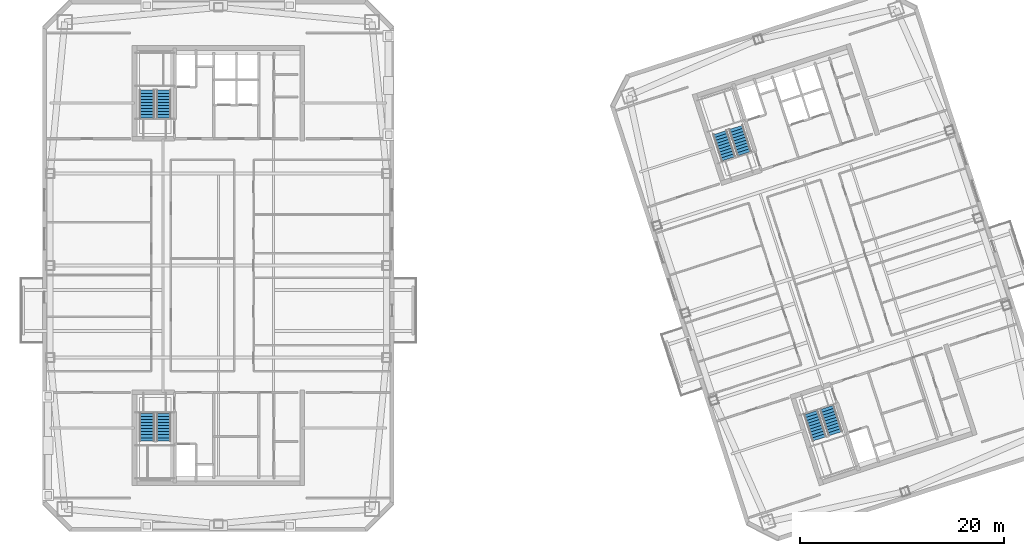
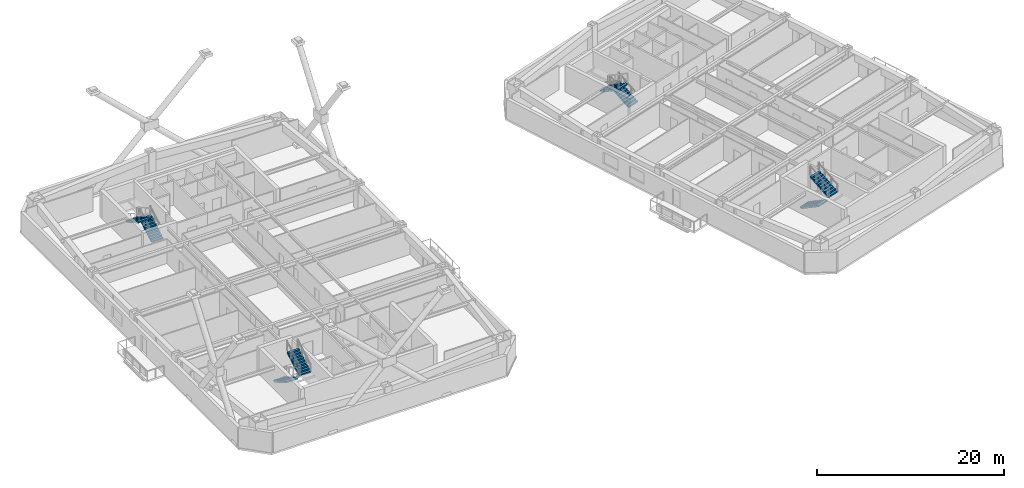
# One storey, part 12 of 16: 8 stair flights, 4 elements without a shape of their own.
"""IFC4 building model written with IfcOpenShell, lengths in metres."""

import ifcopenshell
import ifcopenshell.guid

model = None  # the IFC model being written
_history = None  # IfcOwnerHistory: only IFC2X3 demands one
_inside = {}  # id of a spatial element -> (the spatial element, [elements in it])
_under = {}  # id of a project, library or spatial element -> (it, [spatial elements below it])
_declared = {}  # id of a project -> (the project, [libraries it declares])
_typed = {}  # id of a type object -> (the type object, [elements of that type])
_made_of = {}  # id of a material, layer set ... -> (it, [elements and type objects made of it])


def new_model(schema):
    """Start an empty IFC model of exactly this schema.

    Asked for "IFC4X3", IfcOpenShell would pick the latest addendum, in which some entities
    have other attributes; the version numbers below select the first issue.
    IFC2X3 requires an IfcOwnerHistory on every rooted entity: one is made here for all.
    """
    global model, _history
    if schema == "IFC4X3":
        model = ifcopenshell.file(schema_version=(4, 3, 0, 0))
    else:
        model = ifcopenshell.file(schema=schema)
    _inside.clear()
    _under.clear()
    _declared.clear()
    _typed.clear()
    _made_of.clear()
    _history = None
    if model.schema == "IFC2X3":
        org = make("IfcOrganization", Name="unknown")
        user = make(
            "IfcPersonAndOrganization",
            ThePerson=make("IfcPerson", FamilyName="unknown"),
            TheOrganization=org,
        )
        app = make(
            "IfcApplication",
            ApplicationDeveloper=org,
            Version="unknown",
            ApplicationFullName="unknown",
            ApplicationIdentifier="unknown",
        )
        _history = make(
            "IfcOwnerHistory",
            OwningUser=user,
            OwningApplication=app,
            ChangeAction="ADDED",
            CreationDate=0,
        )
    return model


def make(cls, **values):
    """One entity of the class cls with the attributes given. An attribute that is None is left unset."""
    return model.create_entity(
        cls, **{name: value for name, value in values.items() if value is not None}
    )


def rooted(cls, **values):
    """An entity with a GlobalId (a new one), such as an element, a storey or a relation."""
    return make(cls, GlobalId=ifcopenshell.guid.new(), OwnerHistory=_history, **values)


def si_unit(unit_type, name, prefix=None):
    """IfcSIUnit, for example si_unit("LENGTHUNIT", "METRE", prefix="MILLI")."""
    return make("IfcSIUnit", UnitType=unit_type, Prefix=prefix, Name=name)


def assignment(units):
    """IfcUnitAssignment: the units of a project."""
    return None if units is None else make("IfcUnitAssignment", Units=units)


def point(xyz):
    """IfcCartesianPoint."""
    return None if xyz is None else make("IfcCartesianPoint", Coordinates=xyz)


def direction(xyz):
    """IfcDirection."""
    return None if xyz is None else make("IfcDirection", DirectionRatios=xyz)


def frame(location, z_axis=None, x_axis=None):
    """IfcAxis2Placement3D, a coordinate frame: its origin and axes. An axis left out is left unset."""
    return make(
        "IfcAxis2Placement3D",
        Location=point(location),
        Axis=direction(z_axis),
        RefDirection=direction(x_axis),
    )


def origin():
    """The frame at (0, 0, 0) with its axes left unset."""
    return frame((0.0, 0.0, 0.0))


def place(relative_to, where):
    """IfcLocalPlacement: puts the frame where relative to a parent placement (None: the world)."""
    return make(
        "IfcLocalPlacement", PlacementRelTo=relative_to, RelativePlacement=where
    )


def context(
    kind, dimensions, precision=None, world=None, true_north=None, identifier=None
):
    """IfcGeometricRepresentationContext, for example the 3D "Model" context."""
    return make(
        "IfcGeometricRepresentationContext",
        ContextIdentifier=identifier,
        ContextType=kind,
        CoordinateSpaceDimension=dimensions,
        Precision=precision,
        WorldCoordinateSystem=world,
        TrueNorth=true_north,
    )


def subcontext(parent, identifier, kind, view, scale=None):
    """IfcGeometricRepresentationSubContext, for example "Body" below "Model"."""
    return make(
        "IfcGeometricRepresentationSubContext",
        ContextIdentifier=identifier,
        ContextType=kind,
        ParentContext=parent,
        TargetScale=scale,
        TargetView=view,
    )


def project(units=None, contexts=None):
    """IfcProject with its units and contexts."""
    return rooted(
        "IfcProject",
        Name="project",
        RepresentationContexts=contexts,
        UnitsInContext=assignment(units),
    )


def spatial(cls, under=None, at=None, **own):
    """A site, building, storey or space (cls), placed at a placement, below another one or the project."""
    s = rooted(cls, ObjectPlacement=at, **own)
    if under is not None:
        _under.setdefault(under.id(), (under, []))[1].append(s)
    return s


def polyline(points):
    """IfcPolyline through the points."""
    return make("IfcPolyline", Points=[point(p) for p in points])


def outline(outer, holes=None, kind="AREA"):
    """IfcArbitraryClosedProfileDef: a profile drawn as a closed curve; with holes, ...WithVoids."""
    if holes is None:
        return make("IfcArbitraryClosedProfileDef", ProfileType=kind, OuterCurve=outer)
    return make(
        "IfcArbitraryProfileDefWithVoids",
        ProfileType=kind,
        OuterCurve=outer,
        InnerCurves=holes,
    )


def extrude(swept, where, along, depth):
    """IfcExtrudedAreaSolid: the profile swept, set in the frame where, extruded along a direction by depth."""
    return make(
        "IfcExtrudedAreaSolid",
        SweptArea=swept,
        Position=where,
        ExtrudedDirection=direction(along),
        Depth=depth,
    )


def shape(context_of_items, identifier, shape_type, items):
    """IfcShapeRepresentation: the items that make up one representation, for example the "Body"."""
    return make(
        "IfcShapeRepresentation",
        ContextOfItems=context_of_items,
        RepresentationIdentifier=identifier,
        RepresentationType=shape_type,
        Items=items,
    )


def material(Name=None, Category=None):
    """IfcMaterial."""
    return make("IfcMaterial", Name=Name, Category=Category)


def made_of(thing, what):
    """Note that an element or type object is made of a material, layer set ...; save() writes the relation."""
    if what is not None:
        _made_of.setdefault(what.id(), (what, []))[1].append(thing)
    return thing


def type_object(cls, material=None, **own):
    """A type object (cls), such as IfcWallType, which elements share."""
    return made_of(rooted(cls, **own), material)


def element(
    cls,
    number,
    at=None,
    inside=None,
    cuts=None,
    type_object=None,
    material=None,
    context=None,
    identifier="Body",
    shape_type=None,
    held_by="IfcProductDefinitionShape",
    body=None,
    shapes=None,
    **own,
):
    """One element of the class cls, such as IfcWall. Its Tag is "e" and its number.

    at: its placement. inside: the storey or other place that contains it. cuts: it is an
    opening in that element (IfcRelVoidsElement). A single representation is given by context,
    identifier, shape_type and body (its items); several are given by shapes. held_by: the class
    of the entity that holds the representations. save() writes the other relations.
    """
    e = rooted(cls, Tag="e%d" % number, ObjectPlacement=at, **own)
    if body is not None:
        shapes = [shape(context, identifier, shape_type, body)]
    if shapes is not None:
        e.Representation = make(held_by, Representations=shapes)
    if inside is not None:
        _inside.setdefault(inside.id(), (inside, []))[1].append(e)
    if cuts is not None:
        rooted(
            "IfcRelVoidsElement", RelatingBuildingElement=cuts, RelatedOpeningElement=e
        )
    if type_object is not None:
        _typed.setdefault(type_object.id(), (type_object, []))[1].append(e)
    return made_of(e, material)


def aggregate(whole, parts):
    """IfcRelAggregates: a whole, such as a stair, and the parts it consists of."""
    return rooted("IfcRelAggregates", RelatingObject=whole, RelatedObjects=parts)


def save(model, path):
    """Write the relations noted so far, then the file.

    IfcRelAggregates (storeys below a building ...), IfcRelContainedInSpatialStructure (elements
    in a storey), IfcRelDefinesByType, IfcRelAssociatesMaterial and IfcRelDeclares: one each for
    every whole, place, type object, material and project.
    """
    for whole, parts in _under.values():
        aggregate(whole, parts)
    for where, things in _inside.values():
        rooted(
            "IfcRelContainedInSpatialStructure",
            RelatedElements=things,
            RelatingStructure=where,
        )
    for kind, things in _typed.values():
        rooted("IfcRelDefinesByType", RelatedObjects=things, RelatingType=kind)
    for what, things in _made_of.values():
        rooted("IfcRelAssociatesMaterial", RelatedObjects=things, RelatingMaterial=what)
    for by, libraries in _declared.values():
        rooted("IfcRelDeclares", RelatingContext=by, RelatedDefinitions=libraries)
    model.write(path)


model = new_model("IFC4")

# Units and contexts
model_context = context("Model", 3, precision=1e-05, world=origin(), true_north=direction((0.0, 1.0)))
body_context = subcontext(model_context, "Body", "Model", "MODEL_VIEW")
ifc_project = project(units=[si_unit("LENGTHUNIT", "METRE"), si_unit("AREAUNIT", "SQUARE_METRE"), si_unit("VOLUMEUNIT", "CUBIC_METRE"), si_unit("PLANEANGLEUNIT", "RADIAN"), si_unit("MASSUNIT", "GRAM", prefix="KILO")], contexts=[model_context])

# Site, building, storey
site_placement = place(None, origin())
site = spatial("IfcSite", under=ifc_project, at=site_placement, CompositionType="ELEMENT")
building_placement = place(site_placement, origin())
building = spatial("IfcBuilding", under=site, at=building_placement, Name="Qiaolan Cultural Towers", CompositionType="ELEMENT")
storey_placement = place(building_placement, frame((0.0, 0.0, 188.60009765625)))
storey = spatial("IfcBuildingStorey", under=building, at=storey_placement, Name="L50", CompositionType="ELEMENT", Elevation=188.60009765625)

# Stair, stair flights
ifc_material_1 = material(Name="Concrete C45", Category="concrete")
stair_type = type_object("IfcStairType", Name="STR-CORE-1500", PredefinedType="HALF_TURN_STAIR", material=ifc_material_1)
stair_1_placement = place(storey_placement, origin())
stair_1 = element("IfcStair", 1, at=stair_1_placement, inside=storey, type_object=stair_type, Name="L50 Smokeproof Exit Stair ST-W1", PredefinedType="HALF_TURN_STAIR")
ifc_material_2 = material(Name="Concrete C45", Category="concrete")
stair_flight_type = type_object("IfcStairFlightType", Name="STR-CORE-1500-FL", PredefinedType="STRAIGHT", material=ifc_material_2)
stair_flight_1_placement = place(storey_placement, frame((23.02001953125, 19.550048828125, 0.0), z_axis=(0.0, 0.0, 1.0), x_axis=(0.0, -1.0, 0.0)))
stair_flight_1 = element("IfcStairFlight", 2, at=stair_flight_1_placement, type_object=stair_flight_type, Name="ST-W1 flight 1", NumberOfRisers=10, NumberOfTreads=9, PredefinedType="STRAIGHT", RiserHeight=0.1725, TreadLength=0.3, context=body_context, shape_type="SweptSolid", body=[
    extrude(outline(polyline([(0.0, 0.0), (0.0, 0.172607421875), (0.300048828125, 0.172607421875), (0.300048828125, 0.344970703125), (0.60009765625, 0.344970703125), (0.60009765625, 0.517578125), (0.89990234375, 0.517578125), (0.89990234375, 0.68994140625), (1.199951171875, 0.68994140625), (1.199951171875, 0.862548828125), (1.5, 0.862548828125), (1.5, 1.034912109375), (1.800048828125, 1.034912109375), (1.800048828125, 1.20751953125), (2.10009765625, 1.20751953125), (2.10009765625, 1.3798828125), (2.39990234375, 1.3798828125), (2.39990234375, 1.552490234375), (2.699951171875, 1.552490234375), (2.699951171875, 1.72509765625), (2.699951171875, 1.379638671875), (0.30078125, 0.0), (0.0, 0.0)])), frame((0.0, 0.719970703125, 0.0), z_axis=(0.0, -1.0, 0.0), x_axis=(1.0, 0.0, 0.0)), (0.0, 0.0, 1.0), 1.43994140625),
])
stair_flight_2_placement = place(storey_placement, frame((24.659912109375, 16.85009765625, 1.724853515625), z_axis=(0.0, 0.0, 1.0), x_axis=(0.0, 1.0, 0.0)))
stair_flight_2 = element("IfcStairFlight", 3, at=stair_flight_2_placement, type_object=stair_flight_type, Name="ST-W1 flight 2", NumberOfRisers=10, NumberOfTreads=9, PredefinedType="STRAIGHT", RiserHeight=0.1725, TreadLength=0.3, context=body_context, shape_type="SweptSolid", body=[
    extrude(outline(polyline([(0.0, 0.0), (0.0, 0.172607421875), (0.300048828125, 0.172607421875), (0.300048828125, 0.344970703125), (0.60009765625, 0.344970703125), (0.60009765625, 0.517578125), (0.89990234375, 0.517578125), (0.89990234375, 0.68994140625), (1.199951171875, 0.68994140625), (1.199951171875, 0.862548828125), (1.5, 0.862548828125), (1.5, 1.034912109375), (1.800048828125, 1.034912109375), (1.800048828125, 1.20751953125), (2.10009765625, 1.20751953125), (2.10009765625, 1.3798828125), (2.39990234375, 1.3798828125), (2.39990234375, 1.552490234375), (2.699951171875, 1.552490234375), (2.699951171875, 1.72509765625), (2.699951171875, 1.379638671875), (0.30078125, 0.0), (0.0, 0.0)])), frame((0.0, 0.719970703125, 0.0), z_axis=(0.0, -1.0, 0.0), x_axis=(1.0, 0.0, 0.0)), (0.0, 0.0, 1.0), 1.43994140625),
])
aggregate(stair_1, [stair_flight_1, stair_flight_2])

stair_2_placement = place(storey_placement, origin())
stair_2 = element("IfcStair", 4, at=stair_2_placement, inside=storey, type_object=stair_type, Name="L50 Smokeproof Exit Stair ST-W2", PredefinedType="HALF_TURN_STAIR")
stair_flight_3_placement = place(storey_placement, frame((24.659912109375, 48.449951171875, 0.0), z_axis=(0.0, 0.0, 1.0), x_axis=(0.0, 1.0, 0.0)))
stair_flight_3 = element("IfcStairFlight", 5, at=stair_flight_3_placement, type_object=stair_flight_type, Name="ST-W2 flight 1", NumberOfRisers=10, NumberOfTreads=9, PredefinedType="STRAIGHT", RiserHeight=0.1725, TreadLength=0.3, context=body_context, shape_type="SweptSolid", body=[
    extrude(outline(polyline([(0.0, 0.0), (0.0, 0.172607421875), (0.300048828125, 0.172607421875), (0.300048828125, 0.344970703125), (0.60009765625, 0.344970703125), (0.60009765625, 0.517578125), (0.89990234375, 0.517578125), (0.89990234375, 0.68994140625), (1.199951171875, 0.68994140625), (1.199951171875, 0.862548828125), (1.5, 0.862548828125), (1.5, 1.034912109375), (1.800048828125, 1.034912109375), (1.800048828125, 1.20751953125), (2.10009765625, 1.20751953125), (2.10009765625, 1.3798828125), (2.39990234375, 1.3798828125), (2.39990234375, 1.552490234375), (2.699951171875, 1.552490234375), (2.699951171875, 1.72509765625), (2.699951171875, 1.379638671875), (0.30078125, 0.0), (0.0, 0.0)])), frame((0.0, 0.719970703125, 0.0), z_axis=(0.0, -1.0, 0.0), x_axis=(1.0, 0.0, 0.0)), (0.0, 0.0, 1.0), 1.43994140625),
])
stair_flight_4_placement = place(storey_placement, frame((23.02001953125, 51.14990234375, 1.724853515625), z_axis=(0.0, 0.0, 1.0), x_axis=(0.0, -1.0, 0.0)))
stair_flight_4 = element("IfcStairFlight", 6, at=stair_flight_4_placement, type_object=stair_flight_type, Name="ST-W2 flight 2", NumberOfRisers=10, NumberOfTreads=9, PredefinedType="STRAIGHT", RiserHeight=0.1725, TreadLength=0.3, context=body_context, shape_type="SweptSolid", body=[
    extrude(outline(polyline([(0.0, 0.0), (0.0, 0.172607421875), (0.300048828125, 0.172607421875), (0.300048828125, 0.344970703125), (0.60009765625, 0.344970703125), (0.60009765625, 0.517578125), (0.89990234375, 0.517578125), (0.89990234375, 0.68994140625), (1.199951171875, 0.68994140625), (1.199951171875, 0.862548828125), (1.5, 0.862548828125), (1.5, 1.034912109375), (1.800048828125, 1.034912109375), (1.800048828125, 1.20751953125), (2.10009765625, 1.20751953125), (2.10009765625, 1.3798828125), (2.39990234375, 1.3798828125), (2.39990234375, 1.552490234375), (2.699951171875, 1.552490234375), (2.699951171875, 1.72509765625), (2.699951171875, 1.379638671875), (0.30078125, 0.0), (0.0, 0.0)])), frame((0.0, 0.719970703125, 0.0), z_axis=(0.0, -1.0, 0.0), x_axis=(1.0, 0.0, 0.0)), (0.0, 0.0, 1.0), 1.43994140625),
])
aggregate(stair_2, [stair_flight_3, stair_flight_4])

stair_3_placement = place(storey_placement, origin())
stair_3 = element("IfcStair", 7, at=stair_3_placement, inside=storey, type_object=stair_type, Name="L50 Smokeproof Exit Stair ST-E1", PredefinedType="HALF_TURN_STAIR")
stair_flight_5_placement = place(storey_placement, frame((87.96484375, 19.6171875, 0.0), z_axis=(0.0, 0.0, 1.0), x_axis=(0.309016994375, -0.951056516295, 0.0)))
stair_flight_5 = element("IfcStairFlight", 8, at=stair_flight_5_placement, type_object=stair_flight_type, Name="ST-E1 flight 1", NumberOfRisers=10, NumberOfTreads=9, PredefinedType="STRAIGHT", RiserHeight=0.1725, TreadLength=0.3, context=body_context, shape_type="SweptSolid", body=[
    extrude(outline(polyline([(0.0, 0.0), (0.0, 0.172607421875), (0.300048828125, 0.172607421875), (0.300048828125, 0.344970703125), (0.60009765625, 0.344970703125), (0.60009765625, 0.517578125), (0.89990234375, 0.517578125), (0.89990234375, 0.68994140625), (1.199951171875, 0.68994140625), (1.199951171875, 0.862548828125), (1.5, 0.862548828125), (1.5, 1.034912109375), (1.800048828125, 1.034912109375), (1.800048828125, 1.20751953125), (2.10009765625, 1.20751953125), (2.10009765625, 1.3798828125), (2.39990234375, 1.3798828125), (2.39990234375, 1.552490234375), (2.699951171875, 1.552490234375), (2.699951171875, 1.72509765625), (2.699951171875, 1.379638671875), (0.30078125, 0.0), (0.0, 0.0)])), frame((0.0, 0.719970703125, 0.0), z_axis=(0.0, -1.0, 0.0), x_axis=(1.0, 0.0, 0.0)), (0.0, 0.0, 1.0), 1.43994140625),
])
stair_flight_6_placement = place(storey_placement, frame((90.359130859375, 17.55615234375, 1.724853515625), z_axis=(0.0, 0.0, 1.0), x_axis=(-0.309016994375, 0.951056516295, 0.0)))
stair_flight_6 = element("IfcStairFlight", 9, at=stair_flight_6_placement, type_object=stair_flight_type, Name="ST-E1 flight 2", NumberOfRisers=10, NumberOfTreads=9, PredefinedType="STRAIGHT", RiserHeight=0.1725, TreadLength=0.3, context=body_context, shape_type="SweptSolid", body=[
    extrude(outline(polyline([(0.0, 0.0), (0.0, 0.172607421875), (0.300048828125, 0.172607421875), (0.300048828125, 0.344970703125), (0.60009765625, 0.344970703125), (0.60009765625, 0.517578125), (0.89990234375, 0.517578125), (0.89990234375, 0.68994140625), (1.199951171875, 0.68994140625), (1.199951171875, 0.862548828125), (1.5, 0.862548828125), (1.5, 1.034912109375), (1.800048828125, 1.034912109375), (1.800048828125, 1.20751953125), (2.10009765625, 1.20751953125), (2.10009765625, 1.3798828125), (2.39990234375, 1.3798828125), (2.39990234375, 1.552490234375), (2.699951171875, 1.552490234375), (2.699951171875, 1.72509765625), (2.699951171875, 1.379638671875), (0.30078125, 0.0), (0.0, 0.0)])), frame((0.0, 0.719970703125, 0.0), z_axis=(0.0, -1.0, 0.0), x_axis=(1.0, 0.0, 0.0)), (0.0, 0.0, 1.0), 1.43994140625),
])
aggregate(stair_3, [stair_flight_5, stair_flight_6])

stair_4_placement = place(storey_placement, origin())
stair_4 = element("IfcStair", 10, at=stair_4_placement, inside=storey, type_object=stair_type, Name="L50 Smokeproof Exit Stair ST-E2", PredefinedType="HALF_TURN_STAIR")
stair_flight_7_placement = place(storey_placement, frame((81.459228515625, 44.946533203125, 0.0), z_axis=(0.0, 0.0, 1.0), x_axis=(-0.309016994375, 0.951056516295, 0.0)))
stair_flight_7 = element("IfcStairFlight", 11, at=stair_flight_7_placement, type_object=stair_flight_type, Name="ST-E2 flight 1", NumberOfRisers=10, NumberOfTreads=9, PredefinedType="STRAIGHT", RiserHeight=0.1725, TreadLength=0.3, context=body_context, shape_type="SweptSolid", body=[
    extrude(outline(polyline([(0.0, 0.0), (0.0, 0.172607421875), (0.300048828125, 0.172607421875), (0.300048828125, 0.344970703125), (0.60009765625, 0.344970703125), (0.60009765625, 0.517578125), (0.89990234375, 0.517578125), (0.89990234375, 0.68994140625), (1.199951171875, 0.68994140625), (1.199951171875, 0.862548828125), (1.5, 0.862548828125), (1.5, 1.034912109375), (1.800048828125, 1.034912109375), (1.800048828125, 1.20751953125), (2.10009765625, 1.20751953125), (2.10009765625, 1.3798828125), (2.39990234375, 1.3798828125), (2.39990234375, 1.552490234375), (2.699951171875, 1.552490234375), (2.699951171875, 1.72509765625), (2.699951171875, 1.379638671875), (0.30078125, 0.0), (0.0, 0.0)])), frame((0.0, 0.719970703125, 0.0), z_axis=(0.0, -1.0, 0.0), x_axis=(1.0, 0.0, 0.0)), (0.0, 0.0, 1.0), 1.43994140625),
])
stair_flight_8_placement = place(storey_placement, frame((79.065185546875, 47.007568359375, 1.724853515625), z_axis=(0.0, 0.0, 1.0), x_axis=(0.309016994375, -0.951056516295, 0.0)))
stair_flight_8 = element("IfcStairFlight", 12, at=stair_flight_8_placement, type_object=stair_flight_type, Name="ST-E2 flight 2", NumberOfRisers=10, NumberOfTreads=9, PredefinedType="STRAIGHT", RiserHeight=0.1725, TreadLength=0.3, context=body_context, shape_type="SweptSolid", body=[
    extrude(outline(polyline([(0.0, 0.0), (0.0, 0.172607421875), (0.300048828125, 0.172607421875), (0.300048828125, 0.344970703125), (0.60009765625, 0.344970703125), (0.60009765625, 0.517578125), (0.89990234375, 0.517578125), (0.89990234375, 0.68994140625), (1.199951171875, 0.68994140625), (1.199951171875, 0.862548828125), (1.5, 0.862548828125), (1.5, 1.034912109375), (1.800048828125, 1.034912109375), (1.800048828125, 1.20751953125), (2.10009765625, 1.20751953125), (2.10009765625, 1.3798828125), (2.39990234375, 1.3798828125), (2.39990234375, 1.552490234375), (2.699951171875, 1.552490234375), (2.699951171875, 1.72509765625), (2.699951171875, 1.379638671875), (0.30078125, 0.0), (0.0, 0.0)])), frame((0.0, 0.719970703125, 0.0), z_axis=(0.0, -1.0, 0.0), x_axis=(1.0, 0.0, 0.0)), (0.0, 0.0, 1.0), 1.43994140625),
])
aggregate(stair_4, [stair_flight_7, stair_flight_8])

save(model, "model.ifc")
